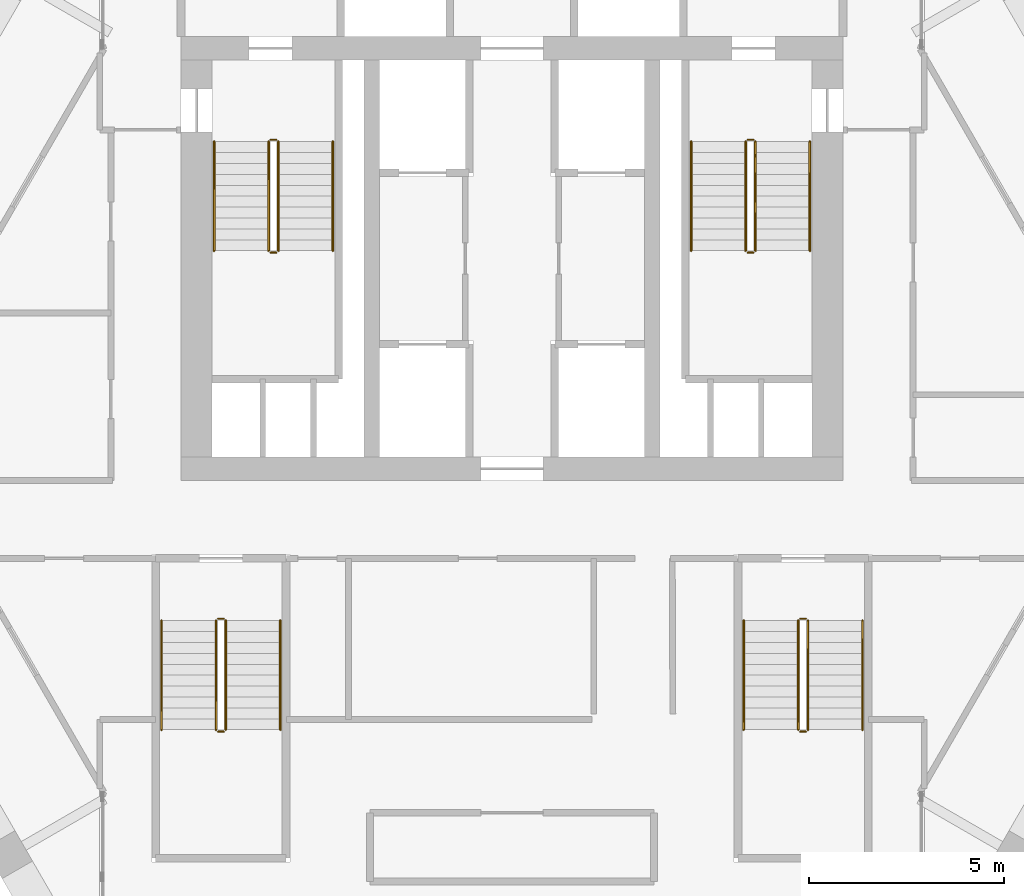
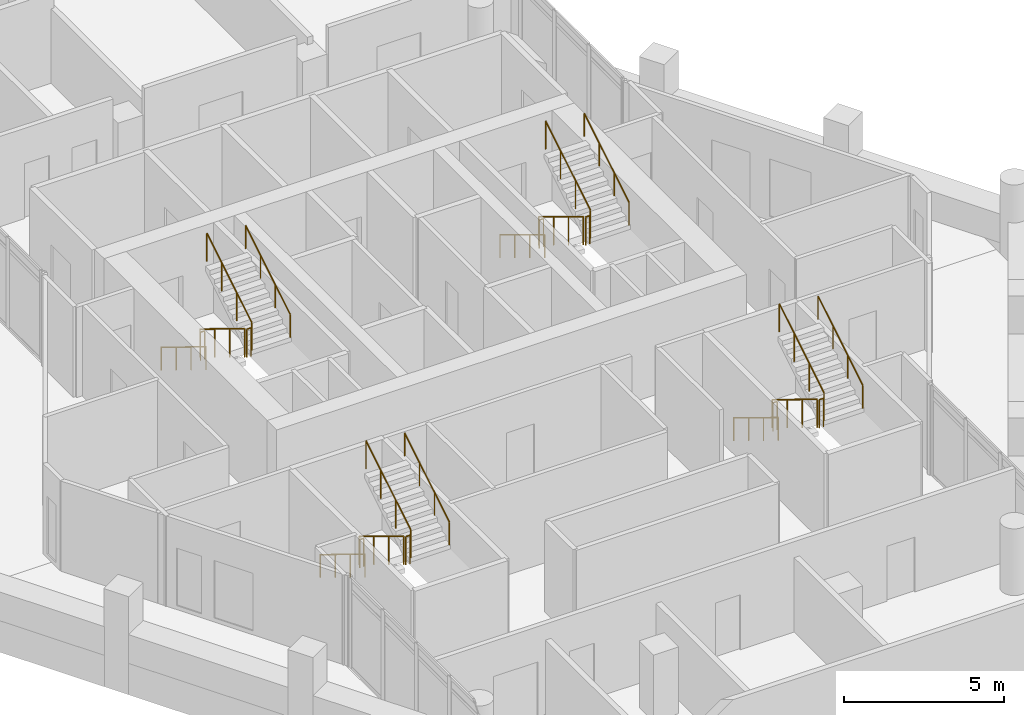
# One storey, part 34 of 34: 24 railings.
"""IFC4 building model written with IfcOpenShell, lengths in metres."""

from ifc_helpers import new_model, si_unit, direction, frame, origin, origin_2d, place, context, subcontext, project, spatial, circle, extrude, material, type_object, element, save


model = new_model("IFC4")

# Units and contexts
model_context = context("Model", 3, precision=1e-05, world=origin(), true_north=direction((0.0, 1.0)))
body_context = subcontext(model_context, "Body", "Model", "MODEL_VIEW")
ifc_project = project(units=[si_unit("LENGTHUNIT", "METRE"), si_unit("AREAUNIT", "SQUARE_METRE"), si_unit("VOLUMEUNIT", "CUBIC_METRE"), si_unit("PLANEANGLEUNIT", "RADIAN"), si_unit("MASSUNIT", "GRAM", prefix="KILO")], contexts=[model_context])

# Site, building, storey
site_placement = place(None, origin())
site = spatial("IfcSite", under=ifc_project, at=site_placement, CompositionType="ELEMENT")
building_placement = place(site_placement, origin())
building = spatial("IfcBuilding", under=site, at=building_placement, Name="Ostrander Bayou Hotel Tower", CompositionType="ELEMENT")
storey_placement = place(building_placement, frame((0.0, 0.0, 222.0)))
storey = spatial("IfcBuildingStorey", under=building, at=storey_placement, Name="L55", CompositionType="ELEMENT", Elevation=222.0)

# Railings
ifc_material_1 = material(Name="Steel ASTM A500 Gr C", Category="steel")
railing_type_1 = type_object("IfcRailingType", Name="GR1 stair guard 1100 mm steel", PredefinedType="GUARDRAIL", material=ifc_material_1)
railing_1_placement = place(storey_placement, frame((-6.25, 7.0, 0.17041015625)))
element("IfcRailing", 1, at=railing_1_placement, inside=storey, type_object=railing_type_1, Name="L55 STA stair guard 1", PredefinedType="GUARDRAIL", context=body_context, shape_type="SweptSolid", body=[
    extrude(circle(Radius=0.02392578125, at=origin_2d()), frame((0.0, 0.0, 1.076171875), z_axis=(0.0, -0.854169791009, 0.51999420009), x_axis=(1.0, 0.0, 0.0)), (0.0, 0.0, 1.0), 3.278076171875),
    extrude(circle(Radius=0.02099609375, at=origin_2d()), origin(), (0.0, 0.0, 1.0), 1.052001953125),
    extrude(circle(Radius=0.02099609375, at=origin_2d()), frame((0.0, -0.933349609375, 0.568115234375)), (0.0, 0.0, 1.0), 1.052001953125),
    extrude(circle(Radius=0.02099609375, at=origin_2d()), frame((0.0, -1.86669921875, 1.136474609375)), (0.0, 0.0, 1.0), 1.052001953125),
    extrude(circle(Radius=0.02099609375, at=origin_2d()), frame((0.0, -2.800048828125, 1.70458984375)), (0.0, 0.0, 1.0), 1.052001953125),
])
railing_2_placement = place(storey_placement, frame((-6.199951171875, 4.14990234375, 1.875)))
element("IfcRailing", 2, at=railing_2_placement, inside=storey, type_object=railing_type_1, Name="L55 STA stair guard 2", PredefinedType="GUARDRAIL", context=body_context, shape_type="SweptSolid", body=[
    extrude(circle(Radius=0.02392578125, at=origin_2d()), frame((0.0, 0.0, 1.076171875), z_axis=(1.0, 0.0, 0.0), x_axis=(0.0, 1.0, 0.0)), (0.0, 0.0, 1.0), 0.14990234375),
    extrude(circle(Radius=0.02099609375, at=origin_2d()), origin(), (0.0, 0.0, 1.0), 1.052001953125),
    extrude(circle(Radius=0.02099609375, at=origin_2d()), frame((0.14990234375, 0.0, 0.0)), (0.0, 0.0, 1.0), 1.052001953125),
])
railing_3_placement = place(storey_placement, frame((-6.0, 4.199951171875, 2.04541015625)))
element("IfcRailing", 3, at=railing_3_placement, inside=storey, type_object=railing_type_1, Name="L55 STA stair guard 3", PredefinedType="GUARDRAIL", context=body_context, shape_type="SweptSolid", body=[
    extrude(circle(Radius=0.02392578125, at=origin_2d()), frame((0.0, 0.0, 1.076171875), z_axis=(0.0, 0.854169791009, 0.51999420009), x_axis=(-1.0, 0.0, 0.0)), (0.0, 0.0, 1.0), 3.278076171875),
    extrude(circle(Radius=0.02099609375, at=origin_2d()), origin(), (0.0, 0.0, 1.0), 1.052001953125),
    extrude(circle(Radius=0.02099609375, at=origin_2d()), frame((0.0, 0.933349609375, 0.568115234375)), (0.0, 0.0, 1.0), 1.052001953125),
    extrude(circle(Radius=0.02099609375, at=origin_2d()), frame((0.0, 1.86669921875, 1.136474609375)), (0.0, 0.0, 1.0), 1.052001953125),
    extrude(circle(Radius=0.02099609375, at=origin_2d()), frame((0.0, 2.800048828125, 1.70458984375)), (0.0, 0.0, 1.0), 1.052001953125),
])
railing_4_placement = place(storey_placement, frame((-6.199951171875, 7.050048828125, 0.0)))
element("IfcRailing", 4, at=railing_4_placement, inside=storey, type_object=railing_type_1, Name="L55 STA stair guard 4", PredefinedType="GUARDRAIL", context=body_context, shape_type="SweptSolid", body=[
    extrude(circle(Radius=0.02392578125, at=origin_2d()), frame((0.0, 0.0, 1.076171875), z_axis=(1.0, 0.0, 0.0), x_axis=(0.0, 1.0, 0.0)), (0.0, 0.0, 1.0), 0.14990234375),
    extrude(circle(Radius=0.02099609375, at=origin_2d()), origin(), (0.0, 0.0, 1.0), 1.052001953125),
    extrude(circle(Radius=0.02099609375, at=origin_2d()), frame((0.14990234375, 0.0, 0.0)), (0.0, 0.0, 1.0), 1.052001953125),
])
railing_5_placement = place(storey_placement, frame((6.0, 7.0, 0.17041015625)))
element("IfcRailing", 5, at=railing_5_placement, inside=storey, type_object=railing_type_1, Name="L55 STB stair guard 1", PredefinedType="GUARDRAIL", context=body_context, shape_type="SweptSolid", body=[
    extrude(circle(Radius=0.02392578125, at=origin_2d()), frame((0.0, 0.0, 1.076171875), z_axis=(0.0, -0.854169791009, 0.51999420009), x_axis=(1.0, 0.0, 0.0)), (0.0, 0.0, 1.0), 3.278076171875),
    extrude(circle(Radius=0.02099609375, at=origin_2d()), origin(), (0.0, 0.0, 1.0), 1.052001953125),
    extrude(circle(Radius=0.02099609375, at=origin_2d()), frame((0.0, -0.933349609375, 0.568115234375)), (0.0, 0.0, 1.0), 1.052001953125),
    extrude(circle(Radius=0.02099609375, at=origin_2d()), frame((0.0, -1.86669921875, 1.136474609375)), (0.0, 0.0, 1.0), 1.052001953125),
    extrude(circle(Radius=0.02099609375, at=origin_2d()), frame((0.0, -2.800048828125, 1.70458984375)), (0.0, 0.0, 1.0), 1.052001953125),
])
railing_6_placement = place(storey_placement, frame((6.050048828125, 4.14990234375, 1.875)))
element("IfcRailing", 6, at=railing_6_placement, inside=storey, type_object=railing_type_1, Name="L55 STB stair guard 2", PredefinedType="GUARDRAIL", context=body_context, shape_type="SweptSolid", body=[
    extrude(circle(Radius=0.02392578125, at=origin_2d()), frame((0.0, 0.0, 1.076171875), z_axis=(1.0, 0.0, 0.0), x_axis=(0.0, 1.0, 0.0)), (0.0, 0.0, 1.0), 0.14990234375),
    extrude(circle(Radius=0.02099609375, at=origin_2d()), origin(), (0.0, 0.0, 1.0), 1.052001953125),
    extrude(circle(Radius=0.02099609375, at=origin_2d()), frame((0.14990234375, 0.0, 0.0)), (0.0, 0.0, 1.0), 1.052001953125),
])
railing_7_placement = place(storey_placement, frame((6.25, 4.199951171875, 2.04541015625)))
element("IfcRailing", 7, at=railing_7_placement, inside=storey, type_object=railing_type_1, Name="L55 STB stair guard 3", PredefinedType="GUARDRAIL", context=body_context, shape_type="SweptSolid", body=[
    extrude(circle(Radius=0.02392578125, at=origin_2d()), frame((0.0, 0.0, 1.076171875), z_axis=(0.0, 0.854169791009, 0.51999420009), x_axis=(-1.0, 0.0, 0.0)), (0.0, 0.0, 1.0), 3.278076171875),
    extrude(circle(Radius=0.02099609375, at=origin_2d()), origin(), (0.0, 0.0, 1.0), 1.052001953125),
    extrude(circle(Radius=0.02099609375, at=origin_2d()), frame((0.0, 0.933349609375, 0.568115234375)), (0.0, 0.0, 1.0), 1.052001953125),
    extrude(circle(Radius=0.02099609375, at=origin_2d()), frame((0.0, 1.86669921875, 1.136474609375)), (0.0, 0.0, 1.0), 1.052001953125),
    extrude(circle(Radius=0.02099609375, at=origin_2d()), frame((0.0, 2.800048828125, 1.70458984375)), (0.0, 0.0, 1.0), 1.052001953125),
])
railing_8_placement = place(storey_placement, frame((6.050048828125, 7.050048828125, 0.0)))
element("IfcRailing", 8, at=railing_8_placement, inside=storey, type_object=railing_type_1, Name="L55 STB stair guard 4", PredefinedType="GUARDRAIL", context=body_context, shape_type="SweptSolid", body=[
    extrude(circle(Radius=0.02392578125, at=origin_2d()), frame((0.0, 0.0, 1.076171875), z_axis=(1.0, 0.0, 0.0), x_axis=(0.0, 1.0, 0.0)), (0.0, 0.0, 1.0), 0.14990234375),
    extrude(circle(Radius=0.02099609375, at=origin_2d()), origin(), (0.0, 0.0, 1.0), 1.052001953125),
    extrude(circle(Radius=0.02099609375, at=origin_2d()), frame((0.14990234375, 0.0, 0.0)), (0.0, 0.0, 1.0), 1.052001953125),
])
railing_9_placement = place(storey_placement, frame((7.35009765625, -5.300048828125, 0.17041015625)))
element("IfcRailing", 9, at=railing_9_placement, inside=storey, type_object=railing_type_1, Name="L55 STC stair guard 1", PredefinedType="GUARDRAIL", context=body_context, shape_type="SweptSolid", body=[
    extrude(circle(Radius=0.02392578125, at=origin_2d()), frame((0.0, 0.0, 1.076171875), z_axis=(0.0, -0.854169791009, 0.51999420009), x_axis=(1.0, 0.0, 0.0)), (0.0, 0.0, 1.0), 3.278076171875),
    extrude(circle(Radius=0.02099609375, at=origin_2d()), origin(), (0.0, 0.0, 1.0), 1.052001953125),
    extrude(circle(Radius=0.02099609375, at=origin_2d()), frame((0.0, -0.933349609375, 0.568115234375)), (0.0, 0.0, 1.0), 1.052001953125),
    extrude(circle(Radius=0.02099609375, at=origin_2d()), frame((0.0, -1.86669921875, 1.136474609375)), (0.0, 0.0, 1.0), 1.052001953125),
    extrude(circle(Radius=0.02099609375, at=origin_2d()), frame((0.0, -2.800048828125, 1.70458984375)), (0.0, 0.0, 1.0), 1.052001953125),
])
railing_10_placement = place(storey_placement, frame((7.39990234375, -8.14990234375, 1.875)))
element("IfcRailing", 10, at=railing_10_placement, inside=storey, type_object=railing_type_1, Name="L55 STC stair guard 2", PredefinedType="GUARDRAIL", context=body_context, shape_type="SweptSolid", body=[
    extrude(circle(Radius=0.02392578125, at=origin_2d()), frame((0.0, 0.0, 1.076171875), z_axis=(1.0, 0.0, 0.0), x_axis=(0.0, 1.0, 0.0)), (0.0, 0.0, 1.0), 0.150146484375),
    extrude(circle(Radius=0.02099609375, at=origin_2d()), origin(), (0.0, 0.0, 1.0), 1.052001953125),
    extrude(circle(Radius=0.02099609375, at=origin_2d()), frame((0.150146484375, 0.0, 0.0)), (0.0, 0.0, 1.0), 1.052001953125),
])
railing_11_placement = place(storey_placement, frame((7.60009765625, -8.10009765625, 2.04541015625)))
element("IfcRailing", 11, at=railing_11_placement, inside=storey, type_object=railing_type_1, Name="L55 STC stair guard 3", PredefinedType="GUARDRAIL", context=body_context, shape_type="SweptSolid", body=[
    extrude(circle(Radius=0.02392578125, at=origin_2d()), frame((0.0, 0.0, 1.076171875), z_axis=(0.0, 0.854169791009, 0.51999420009), x_axis=(-1.0, 0.0, 0.0)), (0.0, 0.0, 1.0), 3.278076171875),
    extrude(circle(Radius=0.02099609375, at=origin_2d()), origin(), (0.0, 0.0, 1.0), 1.052001953125),
    extrude(circle(Radius=0.02099609375, at=origin_2d()), frame((0.0, 0.933349609375, 0.568115234375)), (0.0, 0.0, 1.0), 1.052001953125),
    extrude(circle(Radius=0.02099609375, at=origin_2d()), frame((0.0, 1.86669921875, 1.136474609375)), (0.0, 0.0, 1.0), 1.052001953125),
    extrude(circle(Radius=0.02099609375, at=origin_2d()), frame((0.0, 2.800048828125, 1.70458984375)), (0.0, 0.0, 1.0), 1.052001953125),
])
railing_12_placement = place(storey_placement, frame((7.39990234375, -5.25, 0.0)))
element("IfcRailing", 12, at=railing_12_placement, inside=storey, type_object=railing_type_1, Name="L55 STC stair guard 4", PredefinedType="GUARDRAIL", context=body_context, shape_type="SweptSolid", body=[
    extrude(circle(Radius=0.02392578125, at=origin_2d()), frame((0.0, 0.0, 1.076171875), z_axis=(1.0, 0.0, 0.0), x_axis=(0.0, 1.0, 0.0)), (0.0, 0.0, 1.0), 0.150146484375),
    extrude(circle(Radius=0.02099609375, at=origin_2d()), origin(), (0.0, 0.0, 1.0), 1.052001953125),
    extrude(circle(Radius=0.02099609375, at=origin_2d()), frame((0.150146484375, 0.0, 0.0)), (0.0, 0.0, 1.0), 1.052001953125),
])
railing_13_placement = place(storey_placement, frame((-7.60009765625, -5.300048828125, 0.17041015625)))
element("IfcRailing", 13, at=railing_13_placement, inside=storey, type_object=railing_type_1, Name="L55 STD stair guard 1", PredefinedType="GUARDRAIL", context=body_context, shape_type="SweptSolid", body=[
    extrude(circle(Radius=0.02392578125, at=origin_2d()), frame((0.0, 0.0, 1.076171875), z_axis=(0.0, -0.854169791009, 0.51999420009), x_axis=(1.0, 0.0, 0.0)), (0.0, 0.0, 1.0), 3.278076171875),
    extrude(circle(Radius=0.02099609375, at=origin_2d()), origin(), (0.0, 0.0, 1.0), 1.052001953125),
    extrude(circle(Radius=0.02099609375, at=origin_2d()), frame((0.0, -0.933349609375, 0.568115234375)), (0.0, 0.0, 1.0), 1.052001953125),
    extrude(circle(Radius=0.02099609375, at=origin_2d()), frame((0.0, -1.86669921875, 1.136474609375)), (0.0, 0.0, 1.0), 1.052001953125),
    extrude(circle(Radius=0.02099609375, at=origin_2d()), frame((0.0, -2.800048828125, 1.70458984375)), (0.0, 0.0, 1.0), 1.052001953125),
])
railing_14_placement = place(storey_placement, frame((-7.550048828125, -8.14990234375, 1.875)))
element("IfcRailing", 14, at=railing_14_placement, inside=storey, type_object=railing_type_1, Name="L55 STD stair guard 2", PredefinedType="GUARDRAIL", context=body_context, shape_type="SweptSolid", body=[
    extrude(circle(Radius=0.02392578125, at=origin_2d()), frame((0.0, 0.0, 1.076171875), z_axis=(1.0, 0.0, 0.0), x_axis=(0.0, 1.0, 0.0)), (0.0, 0.0, 1.0), 0.150146484375),
    extrude(circle(Radius=0.02099609375, at=origin_2d()), origin(), (0.0, 0.0, 1.0), 1.052001953125),
    extrude(circle(Radius=0.02099609375, at=origin_2d()), frame((0.150146484375, 0.0, 0.0)), (0.0, 0.0, 1.0), 1.052001953125),
])
railing_15_placement = place(storey_placement, frame((-7.35009765625, -8.10009765625, 2.04541015625)))
element("IfcRailing", 15, at=railing_15_placement, inside=storey, type_object=railing_type_1, Name="L55 STD stair guard 3", PredefinedType="GUARDRAIL", context=body_context, shape_type="SweptSolid", body=[
    extrude(circle(Radius=0.02392578125, at=origin_2d()), frame((0.0, 0.0, 1.076171875), z_axis=(0.0, 0.854169791009, 0.51999420009), x_axis=(-1.0, 0.0, 0.0)), (0.0, 0.0, 1.0), 3.278076171875),
    extrude(circle(Radius=0.02099609375, at=origin_2d()), origin(), (0.0, 0.0, 1.0), 1.052001953125),
    extrude(circle(Radius=0.02099609375, at=origin_2d()), frame((0.0, 0.933349609375, 0.568115234375)), (0.0, 0.0, 1.0), 1.052001953125),
    extrude(circle(Radius=0.02099609375, at=origin_2d()), frame((0.0, 1.86669921875, 1.136474609375)), (0.0, 0.0, 1.0), 1.052001953125),
    extrude(circle(Radius=0.02099609375, at=origin_2d()), frame((0.0, 2.800048828125, 1.70458984375)), (0.0, 0.0, 1.0), 1.052001953125),
])
railing_16_placement = place(storey_placement, frame((-7.550048828125, -5.25, 0.0)))
element("IfcRailing", 16, at=railing_16_placement, inside=storey, type_object=railing_type_1, Name="L55 STD stair guard 4", PredefinedType="GUARDRAIL", context=body_context, shape_type="SweptSolid", body=[
    extrude(circle(Radius=0.02392578125, at=origin_2d()), frame((0.0, 0.0, 1.076171875), z_axis=(1.0, 0.0, 0.0), x_axis=(0.0, 1.0, 0.0)), (0.0, 0.0, 1.0), 0.150146484375),
    extrude(circle(Radius=0.02099609375, at=origin_2d()), origin(), (0.0, 0.0, 1.0), 1.052001953125),
    extrude(circle(Radius=0.02099609375, at=origin_2d()), frame((0.150146484375, 0.0, 0.0)), (0.0, 0.0, 1.0), 1.052001953125),
])
ifc_material_2 = material(Name="Steel ASTM A500 Gr C", Category="steel")
railing_type_2 = type_object("IfcRailingType", Name="HR1 stair handrail 900 mm steel", PredefinedType="HANDRAIL", material=ifc_material_2)
railing_17_placement = place(storey_placement, frame((-7.64990234375, 7.0, 0.17041015625)))
element("IfcRailing", 17, at=railing_17_placement, inside=storey, type_object=railing_type_2, Name="L55 STA stair handrail 1", PredefinedType="HANDRAIL", context=body_context, shape_type="SweptSolid", body=[
    extrude(circle(Radius=0.02392578125, at=origin_2d()), frame((0.0, 0.0, 0.8759765625), z_axis=(0.0, -0.854169791009, 0.51999420009), x_axis=(1.0, 0.0, 0.0)), (0.0, 0.0, 1.0), 3.278076171875),
    extrude(circle(Radius=0.02099609375, at=origin_2d()), origin(), (0.0, 0.0, 1.0), 0.851806640625),
    extrude(circle(Radius=0.02099609375, at=origin_2d()), frame((0.0, -0.933349609375, 0.568115234375)), (0.0, 0.0, 1.0), 0.851806640625),
    extrude(circle(Radius=0.02099609375, at=origin_2d()), frame((0.0, -1.86669921875, 1.136474609375)), (0.0, 0.0, 1.0), 0.851806640625),
    extrude(circle(Radius=0.02099609375, at=origin_2d()), frame((0.0, -2.800048828125, 1.70458984375)), (0.0, 0.0, 1.0), 0.851806640625),
])
railing_18_placement = place(storey_placement, frame((-4.60009765625, 4.199951171875, 2.04541015625)))
element("IfcRailing", 18, at=railing_18_placement, inside=storey, type_object=railing_type_2, Name="L55 STA stair handrail 2", PredefinedType="HANDRAIL", context=body_context, shape_type="SweptSolid", body=[
    extrude(circle(Radius=0.02392578125, at=origin_2d()), frame((0.0, 0.0, 0.8759765625), z_axis=(0.0, 0.854169791009, 0.51999420009), x_axis=(-1.0, 0.0, 0.0)), (0.0, 0.0, 1.0), 3.278076171875),
    extrude(circle(Radius=0.02099609375, at=origin_2d()), origin(), (0.0, 0.0, 1.0), 0.851806640625),
    extrude(circle(Radius=0.02099609375, at=origin_2d()), frame((0.0, 0.933349609375, 0.568115234375)), (0.0, 0.0, 1.0), 0.851806640625),
    extrude(circle(Radius=0.02099609375, at=origin_2d()), frame((0.0, 1.86669921875, 1.136474609375)), (0.0, 0.0, 1.0), 0.851806640625),
    extrude(circle(Radius=0.02099609375, at=origin_2d()), frame((0.0, 2.800048828125, 1.70458984375)), (0.0, 0.0, 1.0), 0.851806640625),
])
railing_19_placement = place(storey_placement, frame((4.60009765625, 7.0, 0.17041015625)))
element("IfcRailing", 19, at=railing_19_placement, inside=storey, type_object=railing_type_2, Name="L55 STB stair handrail 1", PredefinedType="HANDRAIL", context=body_context, shape_type="SweptSolid", body=[
    extrude(circle(Radius=0.02392578125, at=origin_2d()), frame((0.0, 0.0, 0.8759765625), z_axis=(0.0, -0.854169791009, 0.51999420009), x_axis=(1.0, 0.0, 0.0)), (0.0, 0.0, 1.0), 3.278076171875),
    extrude(circle(Radius=0.02099609375, at=origin_2d()), origin(), (0.0, 0.0, 1.0), 0.851806640625),
    extrude(circle(Radius=0.02099609375, at=origin_2d()), frame((0.0, -0.933349609375, 0.568115234375)), (0.0, 0.0, 1.0), 0.851806640625),
    extrude(circle(Radius=0.02099609375, at=origin_2d()), frame((0.0, -1.86669921875, 1.136474609375)), (0.0, 0.0, 1.0), 0.851806640625),
    extrude(circle(Radius=0.02099609375, at=origin_2d()), frame((0.0, -2.800048828125, 1.70458984375)), (0.0, 0.0, 1.0), 0.851806640625),
])
railing_20_placement = place(storey_placement, frame((7.64990234375, 4.199951171875, 2.04541015625)))
element("IfcRailing", 20, at=railing_20_placement, inside=storey, type_object=railing_type_2, Name="L55 STB stair handrail 2", PredefinedType="HANDRAIL", context=body_context, shape_type="SweptSolid", body=[
    extrude(circle(Radius=0.02392578125, at=origin_2d()), frame((0.0, 0.0, 0.8759765625), z_axis=(0.0, 0.854169791009, 0.51999420009), x_axis=(-1.0, 0.0, 0.0)), (0.0, 0.0, 1.0), 3.278076171875),
    extrude(circle(Radius=0.02099609375, at=origin_2d()), origin(), (0.0, 0.0, 1.0), 0.851806640625),
    extrude(circle(Radius=0.02099609375, at=origin_2d()), frame((0.0, 0.933349609375, 0.568115234375)), (0.0, 0.0, 1.0), 0.851806640625),
    extrude(circle(Radius=0.02099609375, at=origin_2d()), frame((0.0, 1.86669921875, 1.136474609375)), (0.0, 0.0, 1.0), 0.851806640625),
    extrude(circle(Radius=0.02099609375, at=origin_2d()), frame((0.0, 2.800048828125, 1.70458984375)), (0.0, 0.0, 1.0), 0.851806640625),
])
railing_21_placement = place(storey_placement, frame((5.949951171875, -5.300048828125, 0.17041015625)))
element("IfcRailing", 21, at=railing_21_placement, inside=storey, type_object=railing_type_2, Name="L55 STC stair handrail 1", PredefinedType="HANDRAIL", context=body_context, shape_type="SweptSolid", body=[
    extrude(circle(Radius=0.02392578125, at=origin_2d()), frame((0.0, 0.0, 0.8759765625), z_axis=(0.0, -0.854169791009, 0.51999420009), x_axis=(1.0, 0.0, 0.0)), (0.0, 0.0, 1.0), 3.278076171875),
    extrude(circle(Radius=0.02099609375, at=origin_2d()), origin(), (0.0, 0.0, 1.0), 0.851806640625),
    extrude(circle(Radius=0.02099609375, at=origin_2d()), frame((0.0, -0.933349609375, 0.568115234375)), (0.0, 0.0, 1.0), 0.851806640625),
    extrude(circle(Radius=0.02099609375, at=origin_2d()), frame((0.0, -1.86669921875, 1.136474609375)), (0.0, 0.0, 1.0), 0.851806640625),
    extrude(circle(Radius=0.02099609375, at=origin_2d()), frame((0.0, -2.800048828125, 1.70458984375)), (0.0, 0.0, 1.0), 0.851806640625),
])
railing_22_placement = place(storey_placement, frame((9.0, -8.10009765625, 2.04541015625)))
element("IfcRailing", 22, at=railing_22_placement, inside=storey, type_object=railing_type_2, Name="L55 STC stair handrail 2", PredefinedType="HANDRAIL", context=body_context, shape_type="SweptSolid", body=[
    extrude(circle(Radius=0.02392578125, at=origin_2d()), frame((0.0, 0.0, 0.8759765625), z_axis=(0.0, 0.854169791009, 0.51999420009), x_axis=(-1.0, 0.0, 0.0)), (0.0, 0.0, 1.0), 3.278076171875),
    extrude(circle(Radius=0.02099609375, at=origin_2d()), origin(), (0.0, 0.0, 1.0), 0.851806640625),
    extrude(circle(Radius=0.02099609375, at=origin_2d()), frame((0.0, 0.933349609375, 0.568115234375)), (0.0, 0.0, 1.0), 0.851806640625),
    extrude(circle(Radius=0.02099609375, at=origin_2d()), frame((0.0, 1.86669921875, 1.136474609375)), (0.0, 0.0, 1.0), 0.851806640625),
    extrude(circle(Radius=0.02099609375, at=origin_2d()), frame((0.0, 2.800048828125, 1.70458984375)), (0.0, 0.0, 1.0), 0.851806640625),
])
railing_23_placement = place(storey_placement, frame((-9.0, -5.300048828125, 0.17041015625)))
element("IfcRailing", 23, at=railing_23_placement, inside=storey, type_object=railing_type_2, Name="L55 STD stair handrail 1", PredefinedType="HANDRAIL", context=body_context, shape_type="SweptSolid", body=[
    extrude(circle(Radius=0.02392578125, at=origin_2d()), frame((0.0, 0.0, 0.8759765625), z_axis=(0.0, -0.854169791009, 0.51999420009), x_axis=(1.0, 0.0, 0.0)), (0.0, 0.0, 1.0), 3.278076171875),
    extrude(circle(Radius=0.02099609375, at=origin_2d()), origin(), (0.0, 0.0, 1.0), 0.851806640625),
    extrude(circle(Radius=0.02099609375, at=origin_2d()), frame((0.0, -0.933349609375, 0.568115234375)), (0.0, 0.0, 1.0), 0.851806640625),
    extrude(circle(Radius=0.02099609375, at=origin_2d()), frame((0.0, -1.86669921875, 1.136474609375)), (0.0, 0.0, 1.0), 0.851806640625),
    extrude(circle(Radius=0.02099609375, at=origin_2d()), frame((0.0, -2.800048828125, 1.70458984375)), (0.0, 0.0, 1.0), 0.851806640625),
])
railing_24_placement = place(storey_placement, frame((-5.949951171875, -8.10009765625, 2.04541015625)))
element("IfcRailing", 24, at=railing_24_placement, inside=storey, type_object=railing_type_2, Name="L55 STD stair handrail 2", PredefinedType="HANDRAIL", context=body_context, shape_type="SweptSolid", body=[
    extrude(circle(Radius=0.02392578125, at=origin_2d()), frame((0.0, 0.0, 0.8759765625), z_axis=(0.0, 0.854169791009, 0.51999420009), x_axis=(-1.0, 0.0, 0.0)), (0.0, 0.0, 1.0), 3.278076171875),
    extrude(circle(Radius=0.02099609375, at=origin_2d()), origin(), (0.0, 0.0, 1.0), 0.851806640625),
    extrude(circle(Radius=0.02099609375, at=origin_2d()), frame((0.0, 0.933349609375, 0.568115234375)), (0.0, 0.0, 1.0), 0.851806640625),
    extrude(circle(Radius=0.02099609375, at=origin_2d()), frame((0.0, 1.86669921875, 1.136474609375)), (0.0, 0.0, 1.0), 0.851806640625),
    extrude(circle(Radius=0.02099609375, at=origin_2d()), frame((0.0, 2.800048828125, 1.70458984375)), (0.0, 0.0, 1.0), 0.851806640625),
])

save(model, "model.ifc")
